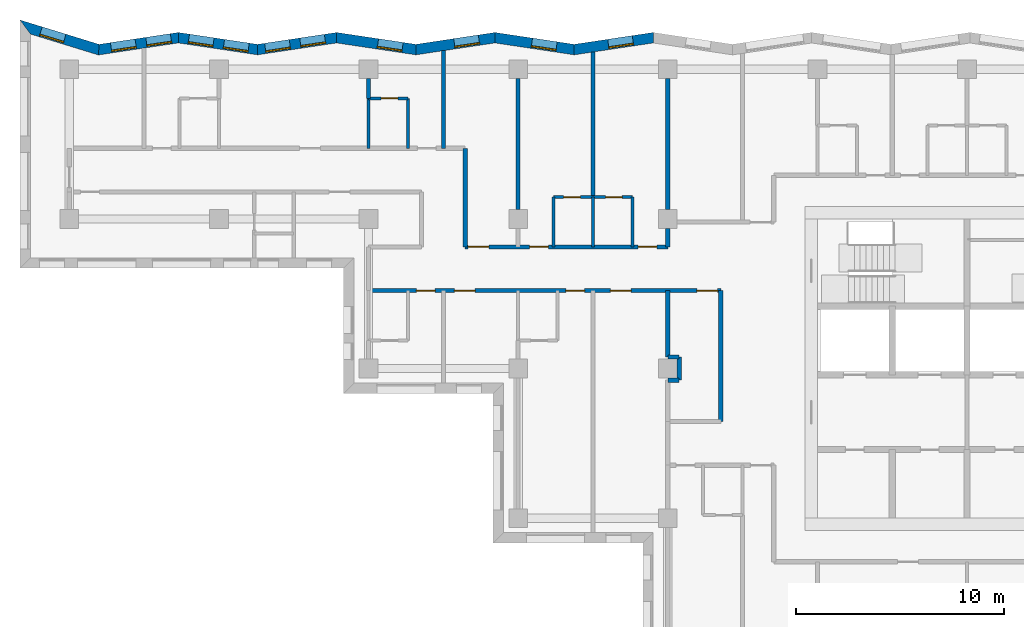
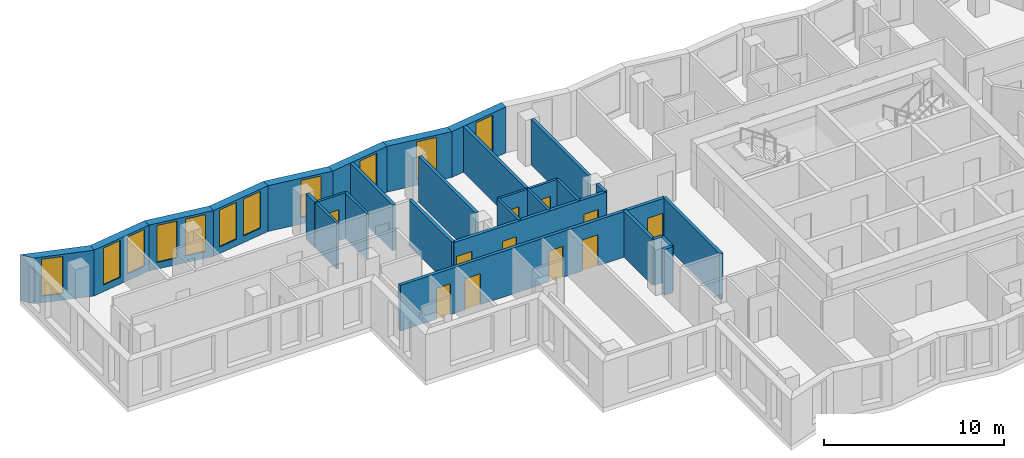
# One storey, part 5 of 12: 29 walls, 11 doors, 11 windows, 22 openings.
"""IFC4 building model written with IfcOpenShell, lengths in metres."""

from ifc_helpers import new_model, si_unit, direction, frame, frame_2d, origin, place, context, subcontext, project, spatial, polyline, rectangle, outline, extrude, material, layer, layer_set, type_object, element, fill, save


model = new_model("IFC4")

# Units and contexts
model_context = context("Model", 3, precision=1e-05, world=origin(), true_north=direction((0.0, 1.0)))
body_context = subcontext(model_context, "Body", "Model", "MODEL_VIEW")
ifc_project = project(units=[si_unit("LENGTHUNIT", "METRE"), si_unit("AREAUNIT", "SQUARE_METRE"), si_unit("VOLUMEUNIT", "CUBIC_METRE"), si_unit("PLANEANGLEUNIT", "RADIAN"), si_unit("MASSUNIT", "GRAM", prefix="KILO")], contexts=[model_context])

# Site, building, storey
site_placement = place(None, origin())
site = spatial("IfcSite", under=ifc_project, at=site_placement, CompositionType="ELEMENT")
building_placement = place(site_placement, origin())
building = spatial("IfcBuilding", under=site, at=building_placement, Name="Windrow Commons", CompositionType="ELEMENT")
storey_placement = place(building_placement, frame((0.0, 0.0, 166.0)))
storey = spatial("IfcBuildingStorey", under=building, at=storey_placement, Name="L45", CompositionType="ELEMENT", Elevation=166.0)

# Wall, opening, window
ifc_material_1 = material(Name="Brick masonry, red clay brick", Category="masonry")
ifc_layer_1 = layer(ifc_material_1, 0.5)
ifc_layer_set_1 = layer_set([ifc_layer_1], Name="Brick facade wall 500")
wall_type_1 = type_object("IfcWallType", Name="Brick facade wall 500", PredefinedType="SOLIDWALL", material=ifc_layer_set_1)
wall_1_placement = place(storey_placement, frame((49.7053, 73.5192, 0.0), z_axis=(0.0, 0.0, 1.0), x_axis=(-0.9889155896, -0.1484788086, 0.0)))
wall_1 = element("IfcWall", 1, at=wall_1_placement, inside=storey, type_object=wall_type_1, Name="Brick facade wall L45 27", PredefinedType="SOLIDWALL", context=body_context, shape_type="SweptSolid", body=[
    extrude(outline(polyline([(-0.0375, -0.25), (3.8148, -0.25), (3.8899, 0.25), (0.0375, 0.25), (-0.0375, -0.25)])), origin(), (0.0, 0.0, 1.0), 3.1),
])
opening_1_placement = place(wall_1_placement, frame((0.9877, 0.0, 0.45)))
opening_1 = element("IfcOpeningElement", 2, at=opening_1_placement, cuts=wall_1, Name="Opening W7E", PredefinedType="OPENING", context=body_context, shape_type="SweptSolid", body=[
    extrude(rectangle(XDim=1.2, YDim=2.5, at=frame_2d((0.6, 1.25))), frame((0.0, 0.26, 0.0), z_axis=(0.0, -1.0, 0.0), x_axis=(1.0, 0.0, 0.0)), (0.0, 0.0, 1.0), 0.52),
])
ifc_material_2 = material(Name="Clear float glass in anodised aluminium frame", Category="aluminium")
window_type = type_object("IfcWindowType", Name="Window W7 notch 1200x2500", PartitioningType="SINGLE_PANEL", PredefinedType="WINDOW", material=ifc_material_2)
window_1_placement = place(opening_1_placement, origin())
window_1 = element("IfcWindow", 3, at=window_1_placement, inside=storey, type_object=window_type, Name="Window L45 27.1", OverallHeight=2.5, OverallWidth=1.2, PartitioningType="SINGLE_PANEL", PredefinedType="WINDOW", context=body_context, shape_type="SweptSolid", body=[
    extrude(rectangle(XDim=1.2, YDim=2.5, at=frame_2d((0.6, 1.25))), frame((0.0, 0.18, 0.0), z_axis=(0.0, -1.0, 0.0), x_axis=(1.0, 0.0, 0.0)), (0.0, 0.0, 1.0), 0.06),
])
fill(opening_1, window_1)

wall_2_placement = place(storey_placement, frame((45.8956, 72.9472, 0.0), z_axis=(0.0, 0.0, 1.0), x_axis=(-0.9889150173, 0.1484826202, 0.0)))
wall_2 = element("IfcWall", 4, at=wall_2_placement, inside=storey, type_object=wall_type_1, Name="Brick facade wall L45 28", PredefinedType="SOLIDWALL", context=body_context, shape_type="SweptSolid", body=[
    extrude(outline(polyline([(0.0375, -0.25), (3.8899, -0.25), (3.8148, 0.25), (-0.0375, 0.25), (0.0375, -0.25)])), origin(), (0.0, 0.0, 1.0), 3.1),
])
opening_2_placement = place(wall_2_placement, frame((0.8629, 0.0, 0.45)))
opening_2 = element("IfcOpeningElement", 5, at=opening_2_placement, cuts=wall_2, Name="Opening W7E", PredefinedType="OPENING", context=body_context, shape_type="SweptSolid", body=[
    extrude(rectangle(XDim=1.2, YDim=2.5, at=frame_2d((0.6, 1.25))), frame((0.0, 0.26, 0.0), z_axis=(0.0, -1.0, 0.0), x_axis=(1.0, 0.0, 0.0)), (0.0, 0.0, 1.0), 0.52),
])
window_2_placement = place(opening_2_placement, origin())
window_2 = element("IfcWindow", 6, at=window_2_placement, inside=storey, type_object=window_type, Name="Window L45 28.1", OverallHeight=2.5, OverallWidth=1.2, PartitioningType="SINGLE_PANEL", PredefinedType="WINDOW", context=body_context, shape_type="SweptSolid", body=[
    extrude(rectangle(XDim=1.2, YDim=2.5, at=frame_2d((0.6, 1.25))), frame((0.0, 0.18, 0.0), z_axis=(0.0, -1.0, 0.0), x_axis=(1.0, 0.0, 0.0)), (0.0, 0.0, 1.0), 0.06),
])
fill(opening_2, window_2)

wall_3_placement = place(storey_placement, frame((42.086, 73.5192, 0.0), z_axis=(0.0, 0.0, 1.0), x_axis=(-0.9889155896, -0.1484788086, 0.0)))
wall_3 = element("IfcWall", 7, at=wall_3_placement, inside=storey, type_object=wall_type_1, Name="Brick facade wall L45 29", PredefinedType="SOLIDWALL", context=body_context, shape_type="SweptSolid", body=[
    extrude(outline(polyline([(-0.0375, -0.25), (3.8148, -0.25), (3.8899, 0.25), (0.0375, 0.25), (-0.0375, -0.25)])), origin(), (0.0, 0.0, 1.0), 3.1),
])
opening_3_placement = place(wall_3_placement, frame((0.7757, 0.0, 0.45)))
opening_3 = element("IfcOpeningElement", 8, at=opening_3_placement, cuts=wall_3, Name="Opening W7E", PredefinedType="OPENING", context=body_context, shape_type="SweptSolid", body=[
    extrude(rectangle(XDim=1.2, YDim=2.5, at=frame_2d((0.6, 1.25))), frame((0.0, 0.26, 0.0), z_axis=(0.0, -1.0, 0.0), x_axis=(1.0, 0.0, 0.0)), (0.0, 0.0, 1.0), 0.52),
])
window_3_placement = place(opening_3_placement, origin())
window_3 = element("IfcWindow", 9, at=window_3_placement, inside=storey, type_object=window_type, Name="Window L45 29.1", OverallHeight=2.5, OverallWidth=1.2, PartitioningType="SINGLE_PANEL", PredefinedType="WINDOW", context=body_context, shape_type="SweptSolid", body=[
    extrude(rectangle(XDim=1.2, YDim=2.5, at=frame_2d((0.6, 1.25))), frame((0.0, 0.18, 0.0), z_axis=(0.0, -1.0, 0.0), x_axis=(1.0, 0.0, 0.0)), (0.0, 0.0, 1.0), 0.06),
])
fill(opening_3, window_3)

wall_4_placement = place(storey_placement, frame((38.2763, 72.9472, 0.0), z_axis=(0.0, 0.0, 1.0), x_axis=(-0.9889155896, 0.1484788086, 0.0)))
wall_4 = element("IfcWall", 10, at=wall_4_placement, inside=storey, type_object=wall_type_1, Name="Brick facade wall L45 30", PredefinedType="SOLIDWALL", context=body_context, shape_type="SweptSolid", body=[
    extrude(outline(polyline([(0.0375, -0.25), (3.8899, -0.25), (3.8148, 0.25), (-0.0375, 0.25), (0.0375, -0.25)])), origin(), (0.0, 0.0, 1.0), 3.1),
])
opening_4_placement = place(wall_4_placement, frame((0.6509, 0.0, 0.45)))
opening_4 = element("IfcOpeningElement", 11, at=opening_4_placement, cuts=wall_4, Name="Opening W7E", PredefinedType="OPENING", context=body_context, shape_type="SweptSolid", body=[
    extrude(rectangle(XDim=1.2, YDim=2.5, at=frame_2d((0.6, 1.25))), frame((0.0, 0.26, 0.0), z_axis=(0.0, -1.0, 0.0), x_axis=(1.0, 0.0, 0.0)), (0.0, 0.0, 1.0), 0.52),
])
window_4_placement = place(opening_4_placement, origin())
window_4 = element("IfcWindow", 12, at=window_4_placement, inside=storey, type_object=window_type, Name="Window L45 30.1", OverallHeight=2.5, OverallWidth=1.2, PartitioningType="SINGLE_PANEL", PredefinedType="WINDOW", context=body_context, shape_type="SweptSolid", body=[
    extrude(rectangle(XDim=1.2, YDim=2.5, at=frame_2d((0.6, 1.25))), frame((0.0, 0.18, 0.0), z_axis=(0.0, -1.0, 0.0), x_axis=(1.0, 0.0, 0.0)), (0.0, 0.0, 1.0), 0.06),
])
fill(opening_4, window_4)

# Wall, openings, windows
wall_5_placement = place(storey_placement, frame((34.4666, 73.5192, 0.0), z_axis=(0.0, 0.0, 1.0), x_axis=(-0.9889150173, -0.1484826202, 0.0)))
wall_5 = element("IfcWall", 13, at=wall_5_placement, inside=storey, type_object=wall_type_1, Name="Brick facade wall L45 31", PredefinedType="SOLIDWALL", context=body_context, shape_type="SweptSolid", body=[
    extrude(outline(polyline([(-0.0375, -0.25), (3.8148, -0.25), (3.8899, 0.25), (0.0375, 0.25), (-0.0375, -0.25)])), origin(), (0.0, 0.0, 1.0), 3.1),
])
opening_5_placement = place(wall_5_placement, frame((0.5637, 0.0, 0.45)))
opening_5 = element("IfcOpeningElement", 14, at=opening_5_placement, cuts=wall_5, Name="Opening W7E", PredefinedType="OPENING", context=body_context, shape_type="SweptSolid", body=[
    extrude(rectangle(XDim=1.2, YDim=2.5, at=frame_2d((0.6, 1.25))), frame((0.0, 0.26, 0.0), z_axis=(0.0, -1.0, 0.0), x_axis=(1.0, 0.0, 0.0)), (0.0, 0.0, 1.0), 0.52),
])
opening_6_placement = place(wall_5_placement, frame((2.2711, 0.0, 0.45)))
opening_6 = element("IfcOpeningElement", 15, at=opening_6_placement, cuts=wall_5, Name="Opening W7E", PredefinedType="OPENING", context=body_context, shape_type="SweptSolid", body=[
    extrude(rectangle(XDim=1.2, YDim=2.5, at=frame_2d((0.6, 1.25))), frame((0.0, 0.26, 0.0), z_axis=(0.0, -1.0, 0.0), x_axis=(1.0, 0.0, 0.0)), (0.0, 0.0, 1.0), 0.52),
])
window_5_placement = place(opening_5_placement, origin())
window_5 = element("IfcWindow", 16, at=window_5_placement, inside=storey, type_object=window_type, Name="Window L45 31.1", OverallHeight=2.5, OverallWidth=1.2, PartitioningType="SINGLE_PANEL", PredefinedType="WINDOW", context=body_context, shape_type="SweptSolid", body=[
    extrude(rectangle(XDim=1.2, YDim=2.5, at=frame_2d((0.6, 1.25))), frame((0.0, 0.18, 0.0), z_axis=(0.0, -1.0, 0.0), x_axis=(1.0, 0.0, 0.0)), (0.0, 0.0, 1.0), 0.06),
])
fill(opening_5, window_5)
window_6_placement = place(opening_6_placement, origin())
window_6 = element("IfcWindow", 17, at=window_6_placement, inside=storey, type_object=window_type, Name="Window L45 31.2", OverallHeight=2.5, OverallWidth=1.2, PartitioningType="SINGLE_PANEL", PredefinedType="WINDOW", context=body_context, shape_type="SweptSolid", body=[
    extrude(rectangle(XDim=1.2, YDim=2.5, at=frame_2d((0.6, 1.25))), frame((0.0, 0.18, 0.0), z_axis=(0.0, -1.0, 0.0), x_axis=(1.0, 0.0, 0.0)), (0.0, 0.0, 1.0), 0.06),
])
fill(opening_6, window_6)

wall_6_placement = place(storey_placement, frame((30.657, 72.9472, 0.0), z_axis=(0.0, 0.0, 1.0), x_axis=(-0.9889155896, 0.1484788086, 0.0)))
wall_6 = element("IfcWall", 18, at=wall_6_placement, inside=storey, type_object=wall_type_1, Name="Brick facade wall L45 32", PredefinedType="SOLIDWALL", context=body_context, shape_type="SweptSolid", body=[
    extrude(outline(polyline([(0.0375, -0.25), (3.8899, -0.25), (3.8148, 0.25), (-0.0375, 0.25), (0.0375, -0.25)])), origin(), (0.0, 0.0, 1.0), 3.1),
])
opening_7_placement = place(wall_6_placement, frame((0.4389, 0.0, 0.45)))
opening_7 = element("IfcOpeningElement", 19, at=opening_7_placement, cuts=wall_6, Name="Opening W7E", PredefinedType="OPENING", context=body_context, shape_type="SweptSolid", body=[
    extrude(rectangle(XDim=1.2, YDim=2.5, at=frame_2d((0.6, 1.25))), frame((0.0, 0.26, 0.0), z_axis=(0.0, -1.0, 0.0), x_axis=(1.0, 0.0, 0.0)), (0.0, 0.0, 1.0), 0.52),
])
opening_8_placement = place(wall_6_placement, frame((2.1463, 0.0, 0.45)))
opening_8 = element("IfcOpeningElement", 20, at=opening_8_placement, cuts=wall_6, Name="Opening W7E", PredefinedType="OPENING", context=body_context, shape_type="SweptSolid", body=[
    extrude(rectangle(XDim=1.2, YDim=2.5, at=frame_2d((0.6, 1.25))), frame((0.0, 0.26, 0.0), z_axis=(0.0, -1.0, 0.0), x_axis=(1.0, 0.0, 0.0)), (0.0, 0.0, 1.0), 0.52),
])
window_7_placement = place(opening_7_placement, origin())
window_7 = element("IfcWindow", 21, at=window_7_placement, inside=storey, type_object=window_type, Name="Window L45 32.1", OverallHeight=2.5, OverallWidth=1.2, PartitioningType="SINGLE_PANEL", PredefinedType="WINDOW", context=body_context, shape_type="SweptSolid", body=[
    extrude(rectangle(XDim=1.2, YDim=2.5, at=frame_2d((0.6, 1.25))), frame((0.0, 0.18, 0.0), z_axis=(0.0, -1.0, 0.0), x_axis=(1.0, 0.0, 0.0)), (0.0, 0.0, 1.0), 0.06),
])
fill(opening_7, window_7)
window_8_placement = place(opening_8_placement, origin())
window_8 = element("IfcWindow", 22, at=window_8_placement, inside=storey, type_object=window_type, Name="Window L45 32.2", OverallHeight=2.5, OverallWidth=1.2, PartitioningType="SINGLE_PANEL", PredefinedType="WINDOW", context=body_context, shape_type="SweptSolid", body=[
    extrude(rectangle(XDim=1.2, YDim=2.5, at=frame_2d((0.6, 1.25))), frame((0.0, 0.18, 0.0), z_axis=(0.0, -1.0, 0.0), x_axis=(1.0, 0.0, 0.0)), (0.0, 0.0, 1.0), 0.06),
])
fill(opening_8, window_8)

wall_7_placement = place(storey_placement, frame((26.8473, 73.5192, 0.0), z_axis=(0.0, 0.0, 1.0), x_axis=(-0.9889143658, -0.1484869591, 0.0)))
wall_7 = element("IfcWall", 23, at=wall_7_placement, inside=storey, type_object=wall_type_1, Name="Brick facade wall L45 33", PredefinedType="SOLIDWALL", context=body_context, shape_type="SweptSolid", body=[
    extrude(outline(polyline([(-0.0375, -0.25), (3.8148, -0.25), (3.9286, 0.25), (0.0375, 0.25), (-0.0375, -0.25)])), origin(), (0.0, 0.0, 1.0), 3.1),
])
opening_9_placement = place(wall_7_placement, frame((0.3517, 0.0, 0.45)))
opening_9 = element("IfcOpeningElement", 24, at=opening_9_placement, cuts=wall_7, Name="Opening W7E", PredefinedType="OPENING", context=body_context, shape_type="SweptSolid", body=[
    extrude(rectangle(XDim=1.2, YDim=2.5, at=frame_2d((0.6, 1.25))), frame((0.0, 0.26, 0.0), z_axis=(0.0, -1.0, 0.0), x_axis=(1.0, 0.0, 0.0)), (0.0, 0.0, 1.0), 0.52),
])
opening_10_placement = place(wall_7_placement, frame((2.0687, 0.0, 0.45)))
opening_10 = element("IfcOpeningElement", 25, at=opening_10_placement, cuts=wall_7, Name="Opening W7E", PredefinedType="OPENING", context=body_context, shape_type="SweptSolid", body=[
    extrude(rectangle(XDim=1.2, YDim=2.5, at=frame_2d((0.6, 1.25))), frame((0.0, 0.26, 0.0), z_axis=(0.0, -1.0, 0.0), x_axis=(1.0, 0.0, 0.0)), (0.0, 0.0, 1.0), 0.52),
])
window_9_placement = place(opening_9_placement, origin())
window_9 = element("IfcWindow", 26, at=window_9_placement, inside=storey, type_object=window_type, Name="Window L45 33.1", OverallHeight=2.5, OverallWidth=1.2, PartitioningType="SINGLE_PANEL", PredefinedType="WINDOW", context=body_context, shape_type="SweptSolid", body=[
    extrude(rectangle(XDim=1.2, YDim=2.5, at=frame_2d((0.6, 1.25))), frame((0.0, 0.18, 0.0), z_axis=(0.0, -1.0, 0.0), x_axis=(1.0, 0.0, 0.0)), (0.0, 0.0, 1.0), 0.06),
])
fill(opening_9, window_9)
window_10_placement = place(opening_10_placement, origin())
window_10 = element("IfcWindow", 27, at=window_10_placement, inside=storey, type_object=window_type, Name="Window L45 33.2", OverallHeight=2.5, OverallWidth=1.2, PartitioningType="SINGLE_PANEL", PredefinedType="WINDOW", context=body_context, shape_type="SweptSolid", body=[
    extrude(rectangle(XDim=1.2, YDim=2.5, at=frame_2d((0.6, 1.25))), frame((0.0, 0.18, 0.0), z_axis=(0.0, -1.0, 0.0), x_axis=(1.0, 0.0, 0.0)), (0.0, 0.0, 1.0), 0.06),
])
fill(opening_10, window_10)

# Wall, opening, window
wall_8_placement = place(storey_placement, frame((23.0185, 72.9443, 0.0), z_axis=(0.0, 0.0, 1.0), x_axis=(-0.9557930164, 0.2940403201, 0.0)))
wall_8 = element("IfcWall", 28, at=wall_8_placement, inside=storey, type_object=wall_type_1, Name="Brick facade wall L45 34", PredefinedType="SOLIDWALL", context=body_context, shape_type="SweptSolid", body=[
    extrude(outline(polyline([(0.0569, -0.25), (4.0427, -0.25), (3.3658, 0.25), (-0.0569, 0.25), (0.0569, -0.25)])), origin(), (0.0, 0.0, 1.0), 3.1),
])
opening_11_placement = place(wall_8_placement, frame((1.725, 0.0, 0.45)))
opening_11 = element("IfcOpeningElement", 29, at=opening_11_placement, cuts=wall_8, Name="Opening W7E", PredefinedType="OPENING", context=body_context, shape_type="SweptSolid", body=[
    extrude(rectangle(XDim=1.2, YDim=2.5, at=frame_2d((0.6, 1.25))), frame((0.0, 0.26, 0.0), z_axis=(0.0, -1.0, 0.0), x_axis=(1.0, 0.0, 0.0)), (0.0, 0.0, 1.0), 0.52),
])
window_11_placement = place(opening_11_placement, origin())
window_11 = element("IfcWindow", 30, at=window_11_placement, inside=storey, type_object=window_type, Name="Window L45 34.1", OverallHeight=2.5, OverallWidth=1.2, PartitioningType="SINGLE_PANEL", PredefinedType="WINDOW", context=body_context, shape_type="SweptSolid", body=[
    extrude(rectangle(XDim=1.2, YDim=2.5, at=frame_2d((0.6, 1.25))), frame((0.0, 0.18, 0.0), z_axis=(0.0, -1.0, 0.0), x_axis=(1.0, 0.0, 0.0)), (0.0, 0.0, 1.0), 0.06),
])
fill(opening_11, window_11)

# Wall, openings, doors
ifc_material_3 = material(Name="Blockwork partition", Category="masonry")
ifc_layer_2 = layer(ifc_material_3, 0.2)
ifc_layer_set_2 = layer_set([ifc_layer_2], Name="IW-CORRIDOR-200")
wall_type_2 = type_object("IfcWallType", Name="IW-CORRIDOR-200", PredefinedType="PARTITIONING", material=ifc_layer_set_2)
wall_9_placement = place(storey_placement, frame((36.0, 61.35, 0.0), z_axis=(0.0, 0.0, 1.0), x_axis=(1.0, 0.0, 0.0)))
wall_9 = element("IfcWall", 31, at=wall_9_placement, inside=storey, type_object=wall_type_2, Name="W-L45-W003", PredefinedType="PARTITIONING", context=body_context, shape_type="SweptSolid", body=[
    extrude(rectangle(XDim=16.95, YDim=0.2, at=frame_2d((8.475, 0.0))), origin(), (0.0, 0.0, 1.0), 3.1),
])
opening_12_placement = place(wall_9_placement, frame((2.3, 0.0, 0.0)))
opening_12 = element("IfcOpeningElement", 32, at=opening_12_placement, cuts=wall_9, Name="Opening D109S", PredefinedType="OPENING", context=body_context, shape_type="SweptSolid", body=[
    extrude(rectangle(XDim=0.9, YDim=2.1, at=frame_2d((0.45, 1.05))), frame((0.0, 0.11, 0.0), z_axis=(0.0, -1.0, 0.0), x_axis=(1.0, 0.0, 0.0)), (0.0, 0.0, 1.0), 0.22),
])
opening_13_placement = place(wall_9_placement, frame((4.125, 0.0, 0.0)))
opening_13 = element("IfcOpeningElement", 33, at=opening_13_placement, cuts=wall_9, Name="Opening D310F", PredefinedType="OPENING", context=body_context, shape_type="SweptSolid", body=[
    extrude(rectangle(XDim=1.0, YDim=2.1, at=frame_2d((0.5, 1.05))), frame((0.0, 0.11, 0.0), z_axis=(0.0, -1.0, 0.0), x_axis=(1.0, 0.0, 0.0)), (0.0, 0.0, 1.0), 0.22),
])
opening_14_placement = place(wall_9_placement, frame((9.5, 0.0, 0.0)))
opening_14 = element("IfcOpeningElement", 34, at=opening_14_placement, cuts=wall_9, Name="Opening D109S", PredefinedType="OPENING", context=body_context, shape_type="SweptSolid", body=[
    extrude(rectangle(XDim=0.9, YDim=2.1, at=frame_2d((0.45, 1.05))), frame((0.0, 0.11, 0.0), z_axis=(0.0, -1.0, 0.0), x_axis=(1.0, 0.0, 0.0)), (0.0, 0.0, 1.0), 0.22),
])
opening_15_placement = place(wall_9_placement, frame((11.635, 0.0, 0.0)))
opening_15 = element("IfcOpeningElement", 35, at=opening_15_placement, cuts=wall_9, Name="Opening D310F", PredefinedType="OPENING", context=body_context, shape_type="SweptSolid", body=[
    extrude(rectangle(XDim=1.0, YDim=2.1, at=frame_2d((0.5, 1.05))), frame((0.0, 0.11, 0.0), z_axis=(0.0, -1.0, 0.0), x_axis=(1.0, 0.0, 0.0)), (0.0, 0.0, 1.0), 0.22),
])
opening_16_placement = place(wall_9_placement, frame((15.8032, 0.0, 0.0)))
opening_16 = element("IfcOpeningElement", 36, at=opening_16_placement, cuts=wall_9, Name="Opening D410F", PredefinedType="OPENING", context=body_context, shape_type="SweptSolid", body=[
    extrude(rectangle(XDim=1.0, YDim=2.1, at=frame_2d((0.5, 1.05))), frame((0.0, 0.11, 0.0), z_axis=(0.0, -1.0, 0.0), x_axis=(1.0, 0.0, 0.0)), (0.0, 0.0, 1.0), 0.22),
])
ifc_material_4 = material(Name="Timber door leaf", Category="wood")
door_type_1 = type_object("IfcDoorType", Name="DT-AMENITY-1000", OperationType="SINGLE_SWING_LEFT", PredefinedType="DOOR", material=ifc_material_4)
door_1_placement = place(opening_13_placement, origin())
door_1 = element("IfcDoor", 37, at=door_1_placement, inside=storey, type_object=door_type_1, Name="D-L45-D013", OperationType="SINGLE_SWING_RIGHT", OverallHeight=2.1, OverallWidth=1.0, PredefinedType="DOOR", context=body_context, shape_type="SweptSolid", body=[
    extrude(rectangle(XDim=1.0, YDim=2.1, at=frame_2d((0.5, 1.05))), frame((0.0, 0.025, 0.0), z_axis=(0.0, -1.0, 0.0), x_axis=(1.0, 0.0, 0.0)), (0.0, 0.0, 1.0), 0.05),
])
fill(opening_13, door_1)
door_2_placement = place(opening_15_placement, origin())
door_2 = element("IfcDoor", 38, at=door_2_placement, inside=storey, type_object=door_type_1, Name="D-L45-D021", OperationType="SINGLE_SWING_RIGHT", OverallHeight=2.1, OverallWidth=1.0, PredefinedType="DOOR", context=body_context, shape_type="SweptSolid", body=[
    extrude(rectangle(XDim=1.0, YDim=2.1, at=frame_2d((0.5, 1.05))), frame((0.0, 0.025, 0.0), z_axis=(0.0, -1.0, 0.0), x_axis=(1.0, 0.0, 0.0)), (0.0, 0.0, 1.0), 0.05),
])
fill(opening_15, door_2)
ifc_material_5 = material(Name="Timber door leaf", Category="wood")
door_type_2 = type_object("IfcDoorType", Name="DT-BEDROOM-900", OperationType="SINGLE_SWING_LEFT", PredefinedType="DOOR", material=ifc_material_5)
door_3_placement = place(opening_12_placement, origin())
door_3 = element("IfcDoor", 39, at=door_3_placement, inside=storey, type_object=door_type_2, Name="D-L45-D011", OperationType="SINGLE_SWING_LEFT", OverallHeight=2.1, OverallWidth=0.9, PredefinedType="DOOR", context=body_context, shape_type="SweptSolid", body=[
    extrude(rectangle(XDim=0.9, YDim=2.1, at=frame_2d((0.45, 1.05))), frame((0.0, 0.025, 0.0), z_axis=(0.0, -1.0, 0.0), x_axis=(1.0, 0.0, 0.0)), (0.0, 0.0, 1.0), 0.05),
])
fill(opening_12, door_3)
door_4_placement = place(opening_14_placement, origin())
door_4 = element("IfcDoor", 40, at=door_4_placement, inside=storey, type_object=door_type_2, Name="D-L45-D014", OperationType="SINGLE_SWING_LEFT", OverallHeight=2.1, OverallWidth=0.9, PredefinedType="DOOR", context=body_context, shape_type="SweptSolid", body=[
    extrude(rectangle(XDim=0.9, YDim=2.1, at=frame_2d((0.45, 1.05))), frame((0.0, 0.025, 0.0), z_axis=(0.0, -1.0, 0.0), x_axis=(1.0, 0.0, 0.0)), (0.0, 0.0, 1.0), 0.05),
])
fill(opening_14, door_4)
ifc_material_6 = material(Name="Timber door leaf", Category="wood")
door_type_3 = type_object("IfcDoorType", Name="DT-SERVICE-1000", OperationType="SINGLE_SWING_LEFT", PredefinedType="DOOR", material=ifc_material_6)
door_5_placement = place(opening_16_placement, origin())
door_5 = element("IfcDoor", 41, at=door_5_placement, inside=storey, type_object=door_type_3, Name="D-L45-D024", OperationType="SINGLE_SWING_LEFT", OverallHeight=2.1, OverallWidth=1.0, PredefinedType="DOOR", context=body_context, shape_type="SweptSolid", body=[
    extrude(rectangle(XDim=1.0, YDim=2.1, at=frame_2d((0.5, 1.05))), frame((0.0, 0.025, 0.0), z_axis=(0.0, -1.0, 0.0), x_axis=(1.0, 0.0, 0.0)), (0.0, 0.0, 1.0), 0.05),
])
fill(opening_16, door_5)

wall_10_placement = place(storey_placement, frame((40.65, 63.45, 0.0), z_axis=(0.0, 0.0, 1.0), x_axis=(1.0, 0.0, 0.0)))
wall_10 = element("IfcWall", 42, at=wall_10_placement, inside=storey, type_object=wall_type_2, Name="W-L45-W009", PredefinedType="PARTITIONING", context=body_context, shape_type="SweptSolid", body=[
    extrude(rectangle(XDim=9.75, YDim=0.2, at=frame_2d((4.875, 0.0))), origin(), (0.0, 0.0, 1.0), 3.1),
])
opening_17_placement = place(wall_10_placement, frame((0.1438, 0.0, 0.0)))
opening_17 = element("IfcOpeningElement", 43, at=opening_17_placement, cuts=wall_10, Name="Opening D310F", PredefinedType="OPENING", context=body_context, shape_type="SweptSolid", body=[
    extrude(rectangle(XDim=1.0, YDim=2.1, at=frame_2d((0.5, 1.05))), frame((0.0, 0.11, 0.0), z_axis=(0.0, -1.0, 0.0), x_axis=(1.0, 0.0, 0.0)), (0.0, 0.0, 1.0), 0.22),
])
opening_18_placement = place(wall_10_placement, frame((3.1017, 0.0, 0.0)))
opening_18 = element("IfcOpeningElement", 44, at=opening_18_placement, cuts=wall_10, Name="Opening D109S", PredefinedType="OPENING", context=body_context, shape_type="SweptSolid", body=[
    extrude(rectangle(XDim=0.9, YDim=2.1, at=frame_2d((0.45, 1.05))), frame((0.0, 0.11, 0.0), z_axis=(0.0, -1.0, 0.0), x_axis=(1.0, 0.0, 0.0)), (0.0, 0.0, 1.0), 0.22),
])
opening_19_placement = place(wall_10_placement, frame((8.3189, 0.0, 0.0)))
opening_19 = element("IfcOpeningElement", 45, at=opening_19_placement, cuts=wall_10, Name="Opening D109S", PredefinedType="OPENING", context=body_context, shape_type="SweptSolid", body=[
    extrude(rectangle(XDim=0.9, YDim=2.1, at=frame_2d((0.45, 1.05))), frame((0.0, 0.11, 0.0), z_axis=(0.0, -1.0, 0.0), x_axis=(1.0, 0.0, 0.0)), (0.0, 0.0, 1.0), 0.22),
])
door_6_placement = place(opening_17_placement, origin())
door_6 = element("IfcDoor", 46, at=door_6_placement, inside=storey, type_object=door_type_1, Name="D-L45-D016", OperationType="SINGLE_SWING_LEFT", OverallHeight=2.1, OverallWidth=1.0, PredefinedType="DOOR", context=body_context, shape_type="SweptSolid", body=[
    extrude(rectangle(XDim=1.0, YDim=2.1, at=frame_2d((0.5, 1.05))), frame((0.0, 0.025, 0.0), z_axis=(0.0, -1.0, 0.0), x_axis=(1.0, 0.0, 0.0)), (0.0, 0.0, 1.0), 0.05),
])
fill(opening_17, door_6)
door_7_placement = place(opening_18_placement, origin())
door_7 = element("IfcDoor", 47, at=door_7_placement, inside=storey, type_object=door_type_2, Name="D-L45-D017", OperationType="SINGLE_SWING_RIGHT", OverallHeight=2.1, OverallWidth=0.9, PredefinedType="DOOR", context=body_context, shape_type="SweptSolid", body=[
    extrude(rectangle(XDim=0.9, YDim=2.1, at=frame_2d((0.45, 1.05))), frame((0.0, 0.025, 0.0), z_axis=(0.0, -1.0, 0.0), x_axis=(1.0, 0.0, 0.0)), (0.0, 0.0, 1.0), 0.05),
])
fill(opening_18, door_7)
door_8_placement = place(opening_19_placement, origin())
door_8 = element("IfcDoor", 48, at=door_8_placement, inside=storey, type_object=door_type_2, Name="D-L45-D019", OperationType="SINGLE_SWING_LEFT", OverallHeight=2.1, OverallWidth=0.9, PredefinedType="DOOR", context=body_context, shape_type="SweptSolid", body=[
    extrude(rectangle(XDim=0.9, YDim=2.1, at=frame_2d((0.45, 1.05))), frame((0.0, 0.025, 0.0), z_axis=(0.0, -1.0, 0.0), x_axis=(1.0, 0.0, 0.0)), (0.0, 0.0, 1.0), 0.05),
])
fill(opening_19, door_8)

# Walls
wall_11_placement = place(storey_placement, frame((52.95, 55.05, 0.0), z_axis=(0.0, 0.0, 1.0), x_axis=(0.0, 1.0, 0.0)))
element("IfcWall", 49, at=wall_11_placement, inside=storey, type_object=wall_type_2, Name="W-L45-W023", PredefinedType="PARTITIONING", context=body_context, shape_type="SweptSolid", body=[
    extrude(rectangle(XDim=6.3, YDim=0.2, at=frame_2d((3.15, 0.0))), origin(), (0.0, 0.0, 1.0), 3.1),
])
wall_12_placement = place(storey_placement, frame((40.65, 63.452, 0.0), z_axis=(0.0, 0.0, 1.0), x_axis=(0.0, 1.0, 0.0)))
element("IfcWall", 50, at=wall_12_placement, inside=storey, type_object=wall_type_2, Name="W-L45-W038", PredefinedType="PARTITIONING", context=body_context, shape_type="SweptSolid", body=[
    extrude(rectangle(XDim=4.748, YDim=0.2, at=frame_2d((2.374, 0.0))), origin(), (0.0, 0.0, 1.0), 3.1),
])
wall_13_placement = place(storey_placement, frame((50.4, 63.452, 0.0), z_axis=(0.0, 0.0, 1.0), x_axis=(0.0, 1.0, 0.0)))
element("IfcWall", 51, at=wall_13_placement, inside=storey, type_object=wall_type_2, Name="W-L45-W140", PredefinedType="PARTITIONING", context=body_context, shape_type="SweptSolid", body=[
    extrude(rectangle(XDim=0.898, YDim=0.2, at=frame_2d((0.449, 0.0))), origin(), (0.0, 0.0, 1.0), 3.1),
])

# Wall, openings, doors
ifc_material_7 = material(Name="Blockwork partition", Category="masonry")
ifc_layer_3 = layer(ifc_material_7, 0.15)
ifc_layer_set_3 = layer_set([ifc_layer_3], Name="IW-ENSUITE-150")
wall_type_3 = type_object("IfcWallType", Name="IW-ENSUITE-150", PredefinedType="PARTITIONING", material=ifc_layer_set_3)
wall_14_placement = place(storey_placement, frame((44.9, 65.85, 0.0), z_axis=(0.0, 0.0, 1.0), x_axis=(1.0, 0.0, 0.0)))
wall_14 = element("IfcWall", 52, at=wall_14_placement, inside=storey, type_object=wall_type_3, Name="W-L45-W051", PredefinedType="PARTITIONING", context=body_context, shape_type="SweptSolid", body=[
    extrude(rectangle(XDim=3.8, YDim=0.15, at=frame_2d((1.9, 0.0))), origin(), (0.0, 0.0, 1.0), 3.1),
])
opening_20_placement = place(wall_14_placement, frame((0.4931, 0.0, 0.0)))
opening_20 = element("IfcOpeningElement", 53, at=opening_20_placement, cuts=wall_14, Name="Opening D208N", PredefinedType="OPENING", context=body_context, shape_type="SweptSolid", body=[
    extrude(rectangle(XDim=0.8, YDim=2.1, at=frame_2d((0.4, 1.05))), frame((0.0, 0.085, 0.0), z_axis=(0.0, -1.0, 0.0), x_axis=(1.0, 0.0, 0.0)), (0.0, 0.0, 1.0), 0.17),
])
opening_21_placement = place(wall_14_placement, frame((2.5069, 0.0, 0.0)))
opening_21 = element("IfcOpeningElement", 54, at=opening_21_placement, cuts=wall_14, Name="Opening D208N", PredefinedType="OPENING", context=body_context, shape_type="SweptSolid", body=[
    extrude(rectangle(XDim=0.8, YDim=2.1, at=frame_2d((0.4, 1.05))), frame((0.0, 0.085, 0.0), z_axis=(0.0, -1.0, 0.0), x_axis=(1.0, 0.0, 0.0)), (0.0, 0.0, 1.0), 0.17),
])
ifc_material_8 = material(Name="Timber door leaf", Category="wood")
door_type_4 = type_object("IfcDoorType", Name="DT-ENSUITE-800", OperationType="SINGLE_SWING_LEFT", PredefinedType="DOOR", material=ifc_material_8)
door_9_placement = place(opening_20_placement, origin())
door_9 = element("IfcDoor", 55, at=door_9_placement, inside=storey, type_object=door_type_4, Name="D-L45-D018", OperationType="SINGLE_SWING_RIGHT", OverallHeight=2.1, OverallWidth=0.8, PredefinedType="DOOR", context=body_context, shape_type="SweptSolid", body=[
    extrude(rectangle(XDim=0.8, YDim=2.1, at=frame_2d((0.4, 1.05))), frame((0.0, 0.025, 0.0), z_axis=(0.0, -1.0, 0.0), x_axis=(1.0, 0.0, 0.0)), (0.0, 0.0, 1.0), 0.05),
])
fill(opening_20, door_9)
door_10_placement = place(opening_21_placement, origin())
door_10 = element("IfcDoor", 56, at=door_10_placement, inside=storey, type_object=door_type_4, Name="D-L45-D020", OperationType="SINGLE_SWING_RIGHT", OverallHeight=2.1, OverallWidth=0.8, PredefinedType="DOOR", context=body_context, shape_type="SweptSolid", body=[
    extrude(rectangle(XDim=0.8, YDim=2.1, at=frame_2d((0.4, 1.05))), frame((0.0, 0.025, 0.0), z_axis=(0.0, -1.0, 0.0), x_axis=(1.0, 0.0, 0.0)), (0.0, 0.0, 1.0), 0.05),
])
fill(opening_21, door_10)

# Walls
for number, where, z_axis, x_axis, name in (
    (57, (37.9, 68.2, 0.0), (0.0, 0.0, 1.0), (0.0, 1.0, 0.0), "W-L45-W081"),
    (58, (36.0, 68.2, 0.0), (0.0, 0.0, 1.0), (0.0, 1.0, 0.0), "W-L45-W082"),
    (59, (44.9, 63.45, 0.0), (0.0, 0.0, 1.0), (0.0, 1.0, 0.0), "W-L45-W083"),
    (60, (46.8, 63.45, 0.0), (0.0, 0.0, 1.0), (0.0, 1.0, 0.0), "W-L45-W084"),
    (61, (48.7, 63.45, 0.0), (0.0, 0.0, 1.0), (0.0, 1.0, 0.0), "W-L45-W085"),
):
    element("IfcWall", number, at=place(storey_placement, frame(where, z_axis=z_axis, x_axis=x_axis)), inside=storey, type_object=wall_type_3, Name=name, PredefinedType="PARTITIONING", context=body_context, shape_type="SweptSolid", body=[
        extrude(rectangle(XDim=2.4, YDim=0.15, at=frame_2d((1.2, 0.0))), origin(), (0.0, 0.0, 1.0), 3.1),
    ])

# Wall, opening, door
wall_15_placement = place(storey_placement, frame((36.0, 70.6, 0.0), z_axis=(0.0, 0.0, 1.0), x_axis=(1.0, 0.0, 0.0)))
wall_15 = element("IfcWall", 62, at=wall_15_placement, inside=storey, type_object=wall_type_3, Name="W-L45-W119", PredefinedType="PARTITIONING", context=body_context, shape_type="SweptSolid", body=[
    extrude(rectangle(XDim=1.9, YDim=0.15, at=frame_2d((0.95, 0.0))), origin(), (0.0, 0.0, 1.0), 3.1),
])
opening_22_placement = place(wall_15_placement, frame((0.6069, 0.0, 0.0)))
opening_22 = element("IfcOpeningElement", 63, at=opening_22_placement, cuts=wall_15, Name="Opening D208N", PredefinedType="OPENING", context=body_context, shape_type="SweptSolid", body=[
    extrude(rectangle(XDim=0.8, YDim=2.1, at=frame_2d((0.4, 1.05))), frame((0.0, 0.085, 0.0), z_axis=(0.0, -1.0, 0.0), x_axis=(1.0, 0.0, 0.0)), (0.0, 0.0, 1.0), 0.17),
])
door_11_placement = place(opening_22_placement, origin())
door_11 = element("IfcDoor", 64, at=door_11_placement, inside=storey, type_object=door_type_4, Name="D-L45-D009", OperationType="SINGLE_SWING_RIGHT", OverallHeight=2.1, OverallWidth=0.8, PredefinedType="DOOR", context=body_context, shape_type="SweptSolid", body=[
    extrude(rectangle(XDim=0.8, YDim=2.1, at=frame_2d((0.4, 1.05))), frame((0.0, 0.025, 0.0), z_axis=(0.0, -1.0, 0.0), x_axis=(1.0, 0.0, 0.0)), (0.0, 0.0, 1.0), 0.05),
])
fill(opening_22, door_11)

# Walls
ifc_material_9 = material(Name="Blockwork partition", Category="masonry")
ifc_layer_4 = layer(ifc_material_9, 0.2)
ifc_layer_set_4 = layer_set([ifc_layer_4], Name="IW-PARTY-200")
wall_type_4 = type_object("IfcWallType", Name="IW-PARTY-200", PredefinedType="PARTITIONING", material=ifc_layer_set_4)
wall_16_placement = place(storey_placement, frame((46.8, 65.85, 0.0), z_axis=(0.0, 0.0, 1.0), x_axis=(0.0, 1.0, 0.0)))
element("IfcWall", 65, at=wall_16_placement, inside=storey, type_object=wall_type_4, Name="W-L45-W018", PredefinedType="PARTITIONING", context=body_context, shape_type="SweptSolid", body=[
    extrude(rectangle(XDim=6.9802, YDim=0.2, at=frame_2d((3.4901, 0.0))), origin(), (0.0, 0.0, 1.0), 3.1),
])
for number, where, z_axis, x_axis, name in (
    (66, (43.2, 65.25, 0.0), (0.0, 0.0, 1.0), (0.0, 1.0, 0.0), "W-L45-W025"),
    (67, (50.4, 65.25, 0.0), (0.0, 0.0, 1.0), (0.0, 1.0, 0.0), "W-L45-W026"),
):
    element("IfcWall", number, at=place(storey_placement, frame(where, z_axis=z_axis, x_axis=x_axis)), inside=storey, type_object=wall_type_4, Name=name, PredefinedType="PARTITIONING", context=body_context, shape_type="SweptSolid", body=[
        extrude(rectangle(XDim=6.3, YDim=0.2, at=frame_2d((3.15, 0.0))), origin(), (0.0, 0.0, 1.0), 3.1),
    ])
wall_17_placement = place(storey_placement, frame((39.6, 68.2, 0.0), z_axis=(0.0, 0.0, 1.0), x_axis=(0.0, 1.0, 0.0)))
element("IfcWall", 68, at=wall_17_placement, inside=storey, type_object=wall_type_4, Name="W-L45-W044", PredefinedType="PARTITIONING", context=body_context, shape_type="SweptSolid", body=[
    extrude(rectangle(XDim=4.6931, YDim=0.2, at=frame_2d((2.3466, 0.0))), origin(), (0.0, 0.0, 1.0), 3.1),
])
wall_18_placement = place(storey_placement, frame((50.4, 58.156, 0.0), z_axis=(0.0, 0.0, 1.0), x_axis=(0.0, 1.0, 0.0)))
element("IfcWall", 69, at=wall_18_placement, inside=storey, type_object=wall_type_4, Name="W-L45-W059", PredefinedType="PARTITIONING", context=body_context, shape_type="SweptSolid", body=[
    extrude(rectangle(XDim=3.194, YDim=0.2, at=frame_2d((1.597, 0.0))), origin(), (0.0, 0.0, 1.0), 3.1),
])
wall_19_placement = place(storey_placement, frame((50.95, 57.044, 0.0), z_axis=(0.0, 0.0, 1.0), x_axis=(0.0, 1.0, 0.0)))
element("IfcWall", 70, at=wall_19_placement, inside=storey, type_object=wall_type_4, Name="W-L45-W130", PredefinedType="PARTITIONING", context=body_context, shape_type="SweptSolid", body=[
    extrude(rectangle(XDim=1.112, YDim=0.2, at=frame_2d((0.556, 0.0))), origin(), (0.0, 0.0, 1.0), 3.1),
])
wall_20_placement = place(storey_placement, frame((36.0, 70.6, 0.0), z_axis=(0.0, 0.0, 1.0), x_axis=(0.0, 1.0, 0.0)))
element("IfcWall", 71, at=wall_20_placement, inside=storey, type_object=wall_type_4, Name="W-L45-W135", PredefinedType="PARTITIONING", context=body_context, shape_type="SweptSolid", body=[
    extrude(rectangle(XDim=0.95, YDim=0.2, at=frame_2d((0.475, 0.0))), origin(), (0.0, 0.0, 1.0), 3.1),
])
for number, where, z_axis, x_axis, name in (
    (72, (50.4, 58.16, 0.0), (0.0, 0.0, 1.0), (1.0, 0.0, 0.0), "W-L45-W150"),
    (73, (50.4, 57.04, 0.0), (0.0, 0.0, 1.0), (1.0, 0.0, 0.0), "W-L45-W151"),
):
    element("IfcWall", number, at=place(storey_placement, frame(where, z_axis=z_axis, x_axis=x_axis)), inside=storey, type_object=wall_type_4, Name=name, PredefinedType="PARTITIONING", context=body_context, shape_type="SweptSolid", body=[
        extrude(rectangle(XDim=0.55, YDim=0.2, at=frame_2d((0.275, 0.0))), origin(), (0.0, 0.0, 1.0), 3.1),
    ])

save(model, "model.ifc")
